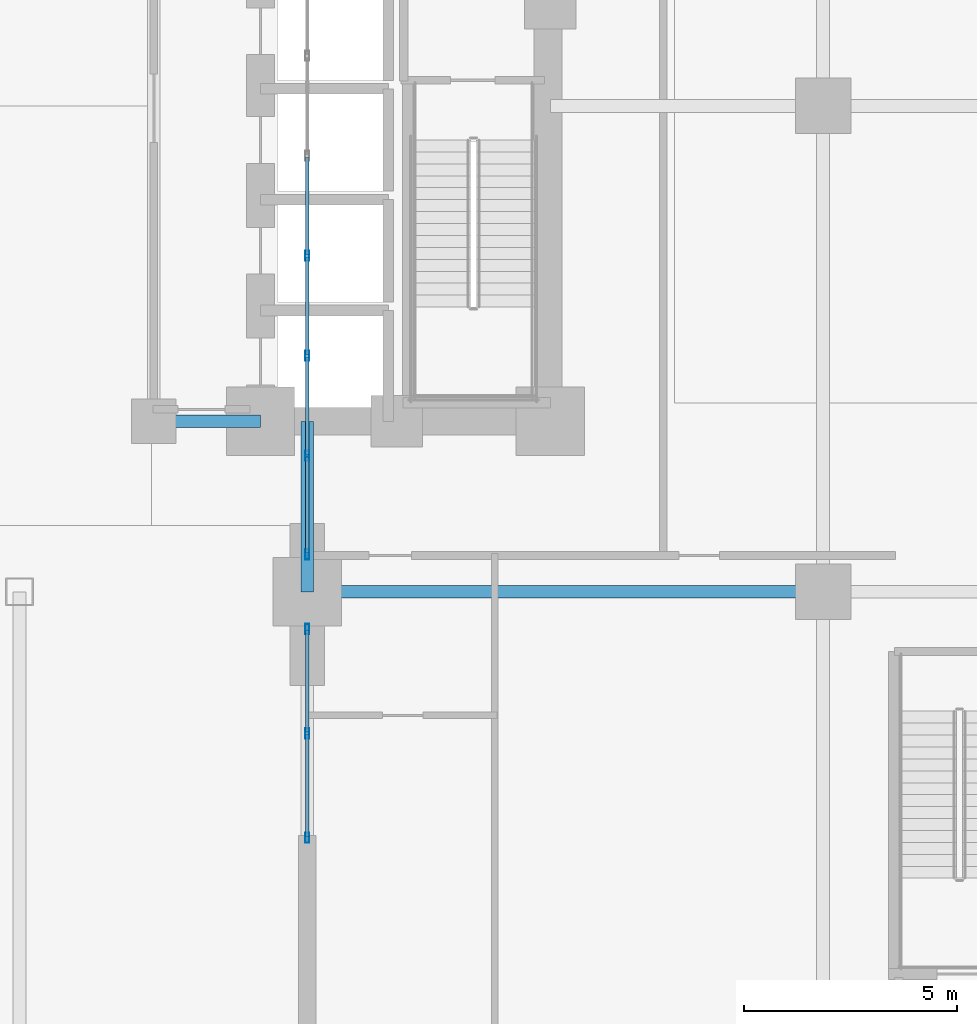
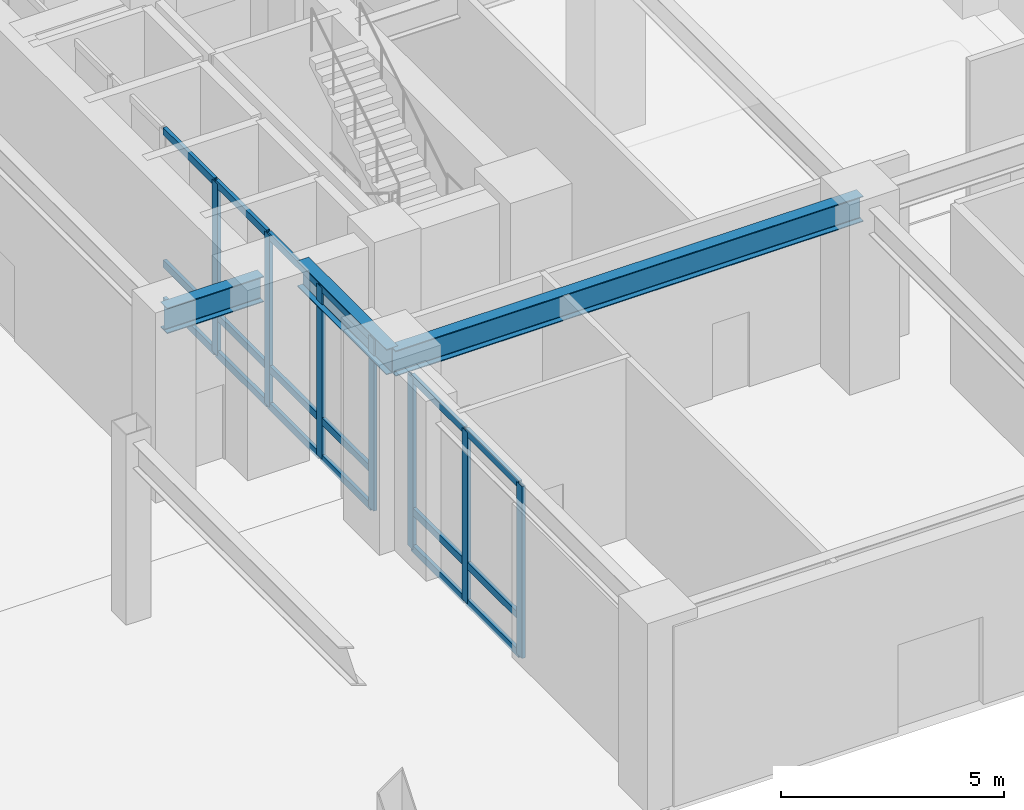
# One storey, part 8 of 23: 25 members, 3 beams, 2 elements without a shape of their own.
"""IFC4 building model written with IfcOpenShell, lengths in metres."""

from ifc_helpers import new_model, si_unit, direction, frame, origin, origin_2d, place, context, subcontext, project, spatial, hollow_rectangle, i_section, extrude, material, layer, layer_set, material_profile, profile_set, type_object, element, aggregate, save


model = new_model("IFC4")

# Units and contexts
model_context = context("Model", 3, precision=1e-05, world=origin(), true_north=direction((0.0, 1.0)))
body_context = subcontext(model_context, "Body", "Model", "MODEL_VIEW")
ifc_project = project(units=[si_unit("LENGTHUNIT", "METRE"), si_unit("AREAUNIT", "SQUARE_METRE"), si_unit("VOLUMEUNIT", "CUBIC_METRE"), si_unit("PLANEANGLEUNIT", "RADIAN"), si_unit("MASSUNIT", "GRAM", prefix="KILO")], contexts=[model_context])

# Site, building, storey
site_placement = place(None, origin())
site = spatial("IfcSite", under=ifc_project, at=site_placement, CompositionType="ELEMENT")
building_placement = place(site_placement, origin())
building = spatial("IfcBuilding", under=site, at=building_placement, Name="Voryun Gate Residences", CompositionType="ELEMENT")
storey_placement = place(building_placement, origin())
storey = spatial("IfcBuildingStorey", under=building, at=storey_placement, Name="L00", CompositionType="ELEMENT", Elevation=0.0)

# Beams
ifc_material_1 = material(Name="Steel SM355", Category="steel")
ifc_material_profile_1 = material_profile(ifc_material_1, i_section(OverallWidth=0.300048828125, OverallDepth=0.699951171875, WebThickness=0.012939453125, FlangeThickness=0.02392578125, FilletRadius=0.01806640625, at=origin_2d()), Name="H-700x300x13x24")
ifc_profile_set_1 = profile_set([ifc_material_profile_1], Name="Steel SM355")
beam_type = type_object("IfcBeamType", Name="BM_GIRD_700", PredefinedType="USERDEFINED", material=ifc_profile_set_1)
beam_1_placement = place(storey_placement, frame((12.39990234375, -7.39990234375, 4.570068359375), z_axis=(-1.0, 0.0, 0.0), x_axis=(0.0, -1.0, 0.0)))
element("IfcBeam", 1, at=beam_1_placement, inside=storey, type_object=beam_type, Name="BM-L00-CLRX-CLR-ES", ObjectType="GIRDER", PredefinedType="USERDEFINED", context=body_context, shape_type="SweptSolid", body=[
    extrude(i_section(OverallWidth=0.300048828125, OverallDepth=0.699951171875, WebThickness=0.012939453125, FlangeThickness=0.02392578125, FilletRadius=0.01806640625, at=origin_2d()), origin(), (0.0, 0.0, 1.0), 2.5),
])
beam_2_placement = place(storey_placement, frame((13.5, -11.39990234375, 4.570068359375), z_axis=(1.0, 0.0, 0.0), x_axis=(0.0, 1.0, 0.0)))
element("IfcBeam", 2, at=beam_2_placement, inside=storey, type_object=beam_type, Name="BM-L00-PEX--11.4-0", ObjectType="GIRDER", PredefinedType="USERDEFINED", context=body_context, shape_type="SweptSolid", body=[
    extrude(i_section(OverallWidth=0.300048828125, OverallDepth=0.699951171875, WebThickness=0.012939453125, FlangeThickness=0.02392578125, FilletRadius=0.01806640625, at=origin_2d()), origin(), (0.0, 0.0, 1.0), 12.10009765625),
])
beam_3_placement = place(storey_placement, frame((13.5, -11.39990234375, 4.570068359375), z_axis=(0.0, 1.0, 0.0), x_axis=(-1.0, 0.0, 0.0)))
element("IfcBeam", 3, at=beam_3_placement, inside=storey, type_object=beam_type, Name="BM-L00-PEYA--11.4", ObjectType="GIRDER", PredefinedType="USERDEFINED", context=body_context, shape_type="SweptSolid", body=[
    extrude(i_section(OverallWidth=0.300048828125, OverallDepth=0.699951171875, WebThickness=0.012939453125, FlangeThickness=0.02392578125, FilletRadius=0.01806640625, at=origin_2d()), origin(), (0.0, 0.0, 1.0), 4.0),
])

# Curtain wall, members
ifc_material_2 = material(Name="Anodised aluminium", Category="aluminium")
ifc_layer = layer(ifc_material_2, 0.239990234375, Name="CW_SYS_ARCH_DARK_GLASS")
ifc_layer_set = layer_set([ifc_layer], Name="Anodised aluminium")
curtain_wall_type = type_object("IfcCurtainWallType", Name="CW_SYS_ARCH_DARK_GLASS", PredefinedType="NOTDEFINED", material=ifc_layer_set)
curtain_wall_1_placement = place(storey_placement, origin())
curtain_wall_1 = element("IfcCurtainWall", 4, at=curtain_wall_1_placement, inside=storey, type_object=curtain_wall_type, Name="Curtain wall CW2-L00-EP-S", PredefinedType="NOTDEFINED")
ifc_material_3 = material(Name="Anodised aluminium", Category="aluminium")
ifc_material_profile_2 = material_profile(ifc_material_3, hollow_rectangle(XDim=0.090087890625, YDim=0.239990234375, WallThickness=0.006103515625, at=origin_2d()), Name="ALU-MULL-240x90x6")
ifc_profile_set_2 = profile_set([ifc_material_profile_2], Name="Anodised aluminium")
member_type_1 = type_object("IfcMemberType", Name="CW_MULL_ARCH", PredefinedType="MULLION", material=ifc_profile_set_2)
member_1_placement = place(storey_placement, frame((13.5, -17.169921875, 0.0), z_axis=(0.0, 0.0, 1.0), x_axis=(-1.0, 0.0, 0.0)))
member_1 = element("IfcMember", 5, at=member_1_placement, type_object=member_type_1, Name="CW2 mullion 1", PredefinedType="MULLION", context=body_context, shape_type="SweptSolid", body=[
    extrude(hollow_rectangle(XDim=0.090087890625, YDim=0.239990234375, WallThickness=0.006103515625, at=origin_2d()), origin(), (0.0, 0.0, 1.0), 4.699951171875),
])
member_2_placement = place(storey_placement, frame((13.5, -14.722412109375, 0.0), z_axis=(0.0, 0.0, 1.0), x_axis=(-1.0, 0.0, 0.0)))
member_2 = element("IfcMember", 6, at=member_2_placement, type_object=member_type_1, Name="CW2 mullion 2", PredefinedType="MULLION", context=body_context, shape_type="SweptSolid", body=[
    extrude(hollow_rectangle(XDim=0.090087890625, YDim=0.239990234375, WallThickness=0.006103515625, at=origin_2d()), origin(), (0.0, 0.0, 1.0), 4.699951171875),
])
member_3_placement = place(storey_placement, frame((13.5, -12.27490234375, 0.0), z_axis=(0.0, 0.0, 1.0), x_axis=(-1.0, 0.0, 0.0)))
member_3 = element("IfcMember", 7, at=member_3_placement, type_object=member_type_1, Name="CW2 mullion 3", PredefinedType="MULLION", context=body_context, shape_type="SweptSolid", body=[
    extrude(hollow_rectangle(XDim=0.090087890625, YDim=0.239990234375, WallThickness=0.006103515625, at=origin_2d()), origin(), (0.0, 0.0, 1.0), 4.699951171875),
])

curtain_wall_2_placement = place(storey_placement, origin())
curtain_wall_2 = element("IfcCurtainWall", 8, at=curtain_wall_2_placement, inside=storey, type_object=curtain_wall_type, Name="Curtain wall CW2-L00-EP-M", PredefinedType="NOTDEFINED")
member_4_placement = place(storey_placement, frame((13.5, -10.52490234375, 0.0), z_axis=(0.0, 0.0, 1.0), x_axis=(-1.0, 0.0, 0.0)))
member_4 = element("IfcMember", 9, at=member_4_placement, type_object=member_type_1, Name="CW2 mullion 1", PredefinedType="MULLION", context=body_context, shape_type="SweptSolid", body=[
    extrude(hollow_rectangle(XDim=0.090087890625, YDim=0.239990234375, WallThickness=0.006103515625, at=origin_2d()), origin(), (0.0, 0.0, 1.0), 4.699951171875),
])
member_5_placement = place(storey_placement, frame((13.5, -8.20947265625, 0.0), z_axis=(0.0, 0.0, 1.0), x_axis=(-1.0, 0.0, 0.0)))
member_5 = element("IfcMember", 10, at=member_5_placement, type_object=member_type_1, Name="CW2 mullion 2", PredefinedType="MULLION", context=body_context, shape_type="SweptSolid", body=[
    extrude(hollow_rectangle(XDim=0.090087890625, YDim=0.239990234375, WallThickness=0.006103515625, at=origin_2d()), origin(), (0.0, 0.0, 1.0), 4.699951171875),
])
member_6_placement = place(storey_placement, frame((13.5, -5.86376953125, 0.0), z_axis=(0.0, 0.0, 1.0), x_axis=(-1.0, 0.0, 0.0)))
member_6 = element("IfcMember", 11, at=member_6_placement, type_object=member_type_1, Name="CW2 mullion 3", PredefinedType="MULLION", context=body_context, shape_type="SweptSolid", body=[
    extrude(hollow_rectangle(XDim=0.090087890625, YDim=0.239990234375, WallThickness=0.006103515625, at=origin_2d()), origin(), (0.0, 0.0, 1.0), 4.699951171875),
])
member_7_placement = place(storey_placement, frame((13.5, -3.518310546875, 0.0), z_axis=(0.0, 0.0, 1.0), x_axis=(-1.0, 0.0, 0.0)))
member_7 = element("IfcMember", 12, at=member_7_placement, type_object=member_type_1, Name="CW2 mullion 4", PredefinedType="MULLION", context=body_context, shape_type="SweptSolid", body=[
    extrude(hollow_rectangle(XDim=0.090087890625, YDim=0.239990234375, WallThickness=0.006103515625, at=origin_2d()), origin(), (0.0, 0.0, 1.0), 4.699951171875),
])

# Member
ifc_material_4 = material(Name="Anodised aluminium", Category="aluminium")
ifc_material_profile_3 = material_profile(ifc_material_4, hollow_rectangle(XDim=0.090087890625, YDim=0.199951171875, WallThickness=0.006103515625, at=origin_2d()), Name="ALU-TRAN-200x90x6")
ifc_profile_set_3 = profile_set([ifc_material_profile_3], Name="Anodised aluminium")
member_type_2 = type_object("IfcMemberType", Name="CW_TRAN_ARCH", PredefinedType="USERDEFINED", material=ifc_profile_set_3)
member_8_placement = place(storey_placement, frame((13.5, -17.139892578125, 0.030029296875), z_axis=(0.0, 1.0, 0.0), x_axis=(-1.0, 0.0, 0.0)))
member_8 = element("IfcMember", 13, at=member_8_placement, type_object=member_type_2, Name="CW2 transom 1.1", ObjectType="TRANSOM", PredefinedType="USERDEFINED", context=body_context, shape_type="SweptSolid", body=[
    extrude(hollow_rectangle(XDim=0.090087890625, YDim=0.199951171875, WallThickness=0.006103515625, at=origin_2d()), origin(), (0.0, 0.0, 1.0), 2.387451171875),
])

member_9_placement = place(storey_placement, frame((13.5, -17.139892578125, 1.050048828125), z_axis=(0.0, 1.0, 0.0), x_axis=(-1.0, 0.0, 0.0)))
member_9 = element("IfcMember", 14, at=member_9_placement, type_object=member_type_2, Name="CW2 transom 1.2", ObjectType="TRANSOM", PredefinedType="USERDEFINED", context=body_context, shape_type="SweptSolid", body=[
    extrude(hollow_rectangle(XDim=0.090087890625, YDim=0.199951171875, WallThickness=0.006103515625, at=origin_2d()), origin(), (0.0, 0.0, 1.0), 2.387451171875),
])

member_10_placement = place(storey_placement, frame((13.5, -17.139892578125, 4.669921875), z_axis=(0.0, 1.0, 0.0), x_axis=(-1.0, 0.0, 0.0)))
member_10 = element("IfcMember", 15, at=member_10_placement, type_object=member_type_2, Name="CW2 transom 1.3", ObjectType="TRANSOM", PredefinedType="USERDEFINED", context=body_context, shape_type="SweptSolid", body=[
    extrude(hollow_rectangle(XDim=0.090087890625, YDim=0.199951171875, WallThickness=0.006103515625, at=origin_2d()), origin(), (0.0, 0.0, 1.0), 2.387451171875),
])

member_11_placement = place(storey_placement, frame((13.5, -14.6923828125, 0.030029296875), z_axis=(0.0, 1.0, 0.0), x_axis=(-1.0, 0.0, 0.0)))
member_11 = element("IfcMember", 16, at=member_11_placement, type_object=member_type_2, Name="CW2 transom 2.1", ObjectType="TRANSOM", PredefinedType="USERDEFINED", context=body_context, shape_type="SweptSolid", body=[
    extrude(hollow_rectangle(XDim=0.090087890625, YDim=0.199951171875, WallThickness=0.006103515625, at=origin_2d()), origin(), (0.0, 0.0, 1.0), 2.387451171875),
])

member_12_placement = place(storey_placement, frame((13.5, -14.6923828125, 1.050048828125), z_axis=(0.0, 1.0, 0.0), x_axis=(-1.0, 0.0, 0.0)))
member_12 = element("IfcMember", 17, at=member_12_placement, type_object=member_type_2, Name="CW2 transom 2.2", ObjectType="TRANSOM", PredefinedType="USERDEFINED", context=body_context, shape_type="SweptSolid", body=[
    extrude(hollow_rectangle(XDim=0.090087890625, YDim=0.199951171875, WallThickness=0.006103515625, at=origin_2d()), origin(), (0.0, 0.0, 1.0), 2.387451171875),
])

member_13_placement = place(storey_placement, frame((13.5, -14.6923828125, 4.669921875), z_axis=(0.0, 1.0, 0.0), x_axis=(-1.0, 0.0, 0.0)))
member_13 = element("IfcMember", 18, at=member_13_placement, type_object=member_type_2, Name="CW2 transom 2.3", ObjectType="TRANSOM", PredefinedType="USERDEFINED", context=body_context, shape_type="SweptSolid", body=[
    extrude(hollow_rectangle(XDim=0.090087890625, YDim=0.199951171875, WallThickness=0.006103515625, at=origin_2d()), origin(), (0.0, 0.0, 1.0), 2.387451171875),
])

aggregate(curtain_wall_1, [member_1, member_2, member_3, member_8, member_9, member_10, member_11, member_12, member_13])

member_14_placement = place(storey_placement, frame((13.5, -10.4951171875, 0.030029296875), z_axis=(0.0, 1.0, 0.0), x_axis=(-1.0, 0.0, 0.0)))
member_14 = element("IfcMember", 19, at=member_14_placement, type_object=member_type_2, Name="CW2 transom 1.1", ObjectType="TRANSOM", PredefinedType="USERDEFINED", context=body_context, shape_type="SweptSolid", body=[
    extrude(hollow_rectangle(XDim=0.090087890625, YDim=0.199951171875, WallThickness=0.006103515625, at=origin_2d()), origin(), (0.0, 0.0, 1.0), 2.255615234375),
])

member_15_placement = place(storey_placement, frame((13.5, -10.4951171875, 1.050048828125), z_axis=(0.0, 1.0, 0.0), x_axis=(-1.0, 0.0, 0.0)))
member_15 = element("IfcMember", 20, at=member_15_placement, type_object=member_type_2, Name="CW2 transom 1.2", ObjectType="TRANSOM", PredefinedType="USERDEFINED", context=body_context, shape_type="SweptSolid", body=[
    extrude(hollow_rectangle(XDim=0.090087890625, YDim=0.199951171875, WallThickness=0.006103515625, at=origin_2d()), origin(), (0.0, 0.0, 1.0), 2.255615234375),
])

member_16_placement = place(storey_placement, frame((13.5, -10.4951171875, 4.669921875), z_axis=(0.0, 1.0, 0.0), x_axis=(-1.0, 0.0, 0.0)))
member_16 = element("IfcMember", 21, at=member_16_placement, type_object=member_type_2, Name="CW2 transom 1.3", ObjectType="TRANSOM", PredefinedType="USERDEFINED", context=body_context, shape_type="SweptSolid", body=[
    extrude(hollow_rectangle(XDim=0.090087890625, YDim=0.199951171875, WallThickness=0.006103515625, at=origin_2d()), origin(), (0.0, 0.0, 1.0), 2.255615234375),
])

member_17_placement = place(storey_placement, frame((13.5, -8.179443359375, 0.030029296875), z_axis=(0.0, 1.0, 0.0), x_axis=(-1.0, 0.0, 0.0)))
member_17 = element("IfcMember", 22, at=member_17_placement, type_object=member_type_2, Name="CW2 transom 2.1", ObjectType="TRANSOM", PredefinedType="USERDEFINED", context=body_context, shape_type="SweptSolid", body=[
    extrude(hollow_rectangle(XDim=0.090087890625, YDim=0.199951171875, WallThickness=0.006103515625, at=origin_2d()), origin(), (0.0, 0.0, 1.0), 2.28564453125),
])

member_18_placement = place(storey_placement, frame((13.5, -8.179443359375, 1.050048828125), z_axis=(0.0, 1.0, 0.0), x_axis=(-1.0, 0.0, 0.0)))
member_18 = element("IfcMember", 23, at=member_18_placement, type_object=member_type_2, Name="CW2 transom 2.2", ObjectType="TRANSOM", PredefinedType="USERDEFINED", context=body_context, shape_type="SweptSolid", body=[
    extrude(hollow_rectangle(XDim=0.090087890625, YDim=0.199951171875, WallThickness=0.006103515625, at=origin_2d()), origin(), (0.0, 0.0, 1.0), 2.28564453125),
])

member_19_placement = place(storey_placement, frame((13.5, -8.179443359375, 4.669921875), z_axis=(0.0, 1.0, 0.0), x_axis=(-1.0, 0.0, 0.0)))
member_19 = element("IfcMember", 24, at=member_19_placement, type_object=member_type_2, Name="CW2 transom 2.3", ObjectType="TRANSOM", PredefinedType="USERDEFINED", context=body_context, shape_type="SweptSolid", body=[
    extrude(hollow_rectangle(XDim=0.090087890625, YDim=0.199951171875, WallThickness=0.006103515625, at=origin_2d()), origin(), (0.0, 0.0, 1.0), 2.28564453125),
])

member_20_placement = place(storey_placement, frame((13.5, -5.833984375, 0.030029296875), z_axis=(0.0, 1.0, 0.0), x_axis=(-1.0, 0.0, 0.0)))
member_20 = element("IfcMember", 25, at=member_20_placement, type_object=member_type_2, Name="CW2 transom 3.1", ObjectType="TRANSOM", PredefinedType="USERDEFINED", context=body_context, shape_type="SweptSolid", body=[
    extrude(hollow_rectangle(XDim=0.090087890625, YDim=0.199951171875, WallThickness=0.006103515625, at=origin_2d()), origin(), (0.0, 0.0, 1.0), 2.28564453125),
])

member_21_placement = place(storey_placement, frame((13.5, -5.833984375, 1.050048828125), z_axis=(0.0, 1.0, 0.0), x_axis=(-1.0, 0.0, 0.0)))
member_21 = element("IfcMember", 26, at=member_21_placement, type_object=member_type_2, Name="CW2 transom 3.2", ObjectType="TRANSOM", PredefinedType="USERDEFINED", context=body_context, shape_type="SweptSolid", body=[
    extrude(hollow_rectangle(XDim=0.090087890625, YDim=0.199951171875, WallThickness=0.006103515625, at=origin_2d()), origin(), (0.0, 0.0, 1.0), 2.28564453125),
])

member_22_placement = place(storey_placement, frame((13.5, -5.833984375, 4.669921875), z_axis=(0.0, 1.0, 0.0), x_axis=(-1.0, 0.0, 0.0)))
member_22 = element("IfcMember", 27, at=member_22_placement, type_object=member_type_2, Name="CW2 transom 3.3", ObjectType="TRANSOM", PredefinedType="USERDEFINED", context=body_context, shape_type="SweptSolid", body=[
    extrude(hollow_rectangle(XDim=0.090087890625, YDim=0.199951171875, WallThickness=0.006103515625, at=origin_2d()), origin(), (0.0, 0.0, 1.0), 2.28564453125),
])

member_23_placement = place(storey_placement, frame((13.5, -3.48828125, 0.030029296875), z_axis=(0.0, 1.0, 0.0), x_axis=(-1.0, 0.0, 0.0)))
member_23 = element("IfcMember", 28, at=member_23_placement, type_object=member_type_2, Name="CW2 transom 4.1", ObjectType="TRANSOM", PredefinedType="USERDEFINED", context=body_context, shape_type="SweptSolid", body=[
    extrude(hollow_rectangle(XDim=0.090087890625, YDim=0.199951171875, WallThickness=0.006103515625, at=origin_2d()), origin(), (0.0, 0.0, 1.0), 2.285400390625),
])

member_24_placement = place(storey_placement, frame((13.5, -3.48828125, 1.050048828125), z_axis=(0.0, 1.0, 0.0), x_axis=(-1.0, 0.0, 0.0)))
member_24 = element("IfcMember", 29, at=member_24_placement, type_object=member_type_2, Name="CW2 transom 4.2", ObjectType="TRANSOM", PredefinedType="USERDEFINED", context=body_context, shape_type="SweptSolid", body=[
    extrude(hollow_rectangle(XDim=0.090087890625, YDim=0.199951171875, WallThickness=0.006103515625, at=origin_2d()), origin(), (0.0, 0.0, 1.0), 2.285400390625),
])

member_25_placement = place(storey_placement, frame((13.5, -3.48828125, 4.669921875), z_axis=(0.0, 1.0, 0.0), x_axis=(-1.0, 0.0, 0.0)))
member_25 = element("IfcMember", 30, at=member_25_placement, type_object=member_type_2, Name="CW2 transom 4.3", ObjectType="TRANSOM", PredefinedType="USERDEFINED", context=body_context, shape_type="SweptSolid", body=[
    extrude(hollow_rectangle(XDim=0.090087890625, YDim=0.199951171875, WallThickness=0.006103515625, at=origin_2d()), origin(), (0.0, 0.0, 1.0), 2.285400390625),
])

aggregate(curtain_wall_2, [member_4, member_5, member_6, member_7, member_14, member_15, member_16, member_17, member_18, member_19, member_20, member_21, member_22, member_23, member_24, member_25])

save(model, "model.ifc")
